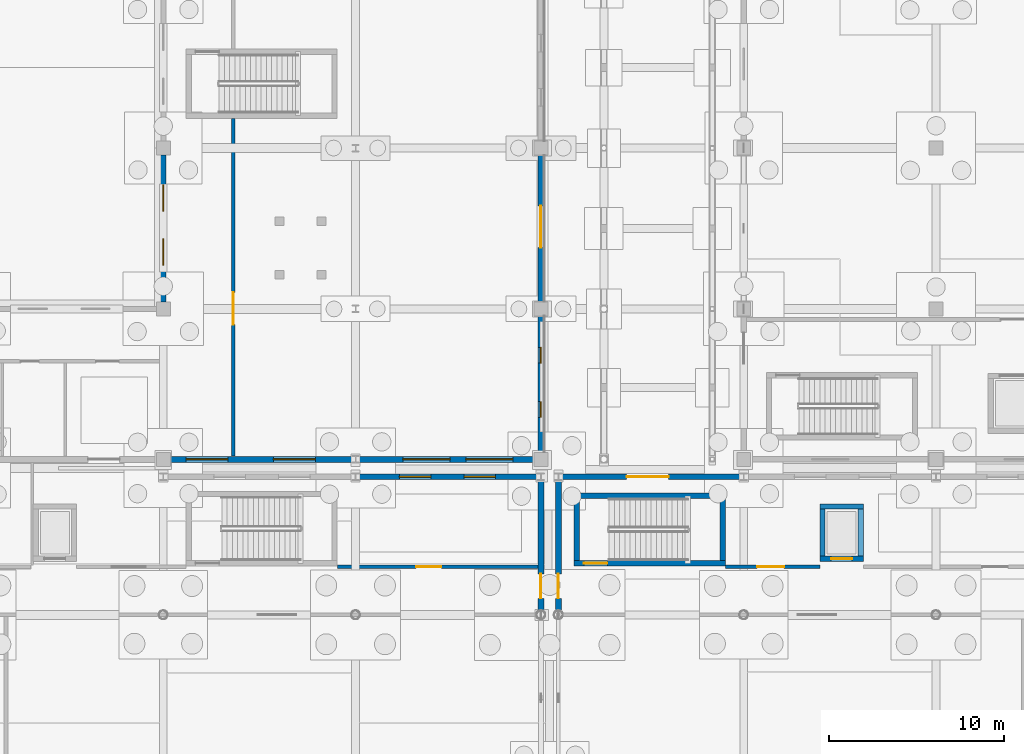
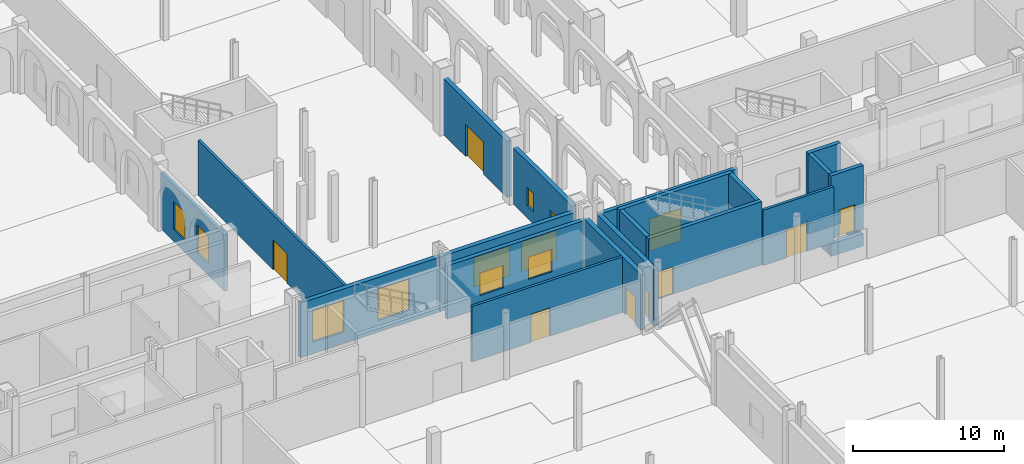
# One storey, part 58 of 83: 23 walls, 10 windows, 9 doors, 19 openings.
"""IFC4 building model written with IfcOpenShell, lengths in metres."""

import ifcopenshell
import ifcopenshell.guid

model = None  # the IFC model being written
_history = None  # IfcOwnerHistory: only IFC2X3 demands one
_inside = {}  # id of a spatial element -> (the spatial element, [elements in it])
_under = {}  # id of a project, library or spatial element -> (it, [spatial elements below it])
_declared = {}  # id of a project -> (the project, [libraries it declares])
_typed = {}  # id of a type object -> (the type object, [elements of that type])
_made_of = {}  # id of a material, layer set ... -> (it, [elements and type objects made of it])


def new_model(schema):
    """Start an empty IFC model of exactly this schema.

    Asked for "IFC4X3", IfcOpenShell would pick the latest addendum, in which some entities
    have other attributes; the version numbers below select the first issue.
    IFC2X3 requires an IfcOwnerHistory on every rooted entity: one is made here for all.
    """
    global model, _history
    if schema == "IFC4X3":
        model = ifcopenshell.file(schema_version=(4, 3, 0, 0))
    else:
        model = ifcopenshell.file(schema=schema)
    _inside.clear()
    _under.clear()
    _declared.clear()
    _typed.clear()
    _made_of.clear()
    _history = None
    if model.schema == "IFC2X3":
        org = make("IfcOrganization", Name="unknown")
        user = make(
            "IfcPersonAndOrganization",
            ThePerson=make("IfcPerson", FamilyName="unknown"),
            TheOrganization=org,
        )
        app = make(
            "IfcApplication",
            ApplicationDeveloper=org,
            Version="unknown",
            ApplicationFullName="unknown",
            ApplicationIdentifier="unknown",
        )
        _history = make(
            "IfcOwnerHistory",
            OwningUser=user,
            OwningApplication=app,
            ChangeAction="ADDED",
            CreationDate=0,
        )
    return model


def make(cls, **values):
    """One entity of the class cls with the attributes given. An attribute that is None is left unset."""
    return model.create_entity(
        cls, **{name: value for name, value in values.items() if value is not None}
    )


def rooted(cls, **values):
    """An entity with a GlobalId (a new one), such as an element, a storey or a relation."""
    return make(cls, GlobalId=ifcopenshell.guid.new(), OwnerHistory=_history, **values)


def si_unit(unit_type, name, prefix=None):
    """IfcSIUnit, for example si_unit("LENGTHUNIT", "METRE", prefix="MILLI")."""
    return make("IfcSIUnit", UnitType=unit_type, Prefix=prefix, Name=name)


def assignment(units):
    """IfcUnitAssignment: the units of a project."""
    return None if units is None else make("IfcUnitAssignment", Units=units)


def point(xyz):
    """IfcCartesianPoint."""
    return None if xyz is None else make("IfcCartesianPoint", Coordinates=xyz)


def direction(xyz):
    """IfcDirection."""
    return None if xyz is None else make("IfcDirection", DirectionRatios=xyz)


def frame(location, z_axis=None, x_axis=None):
    """IfcAxis2Placement3D, a coordinate frame: its origin and axes. An axis left out is left unset."""
    return make(
        "IfcAxis2Placement3D",
        Location=point(location),
        Axis=direction(z_axis),
        RefDirection=direction(x_axis),
    )


def frame_2d(location, x_axis=None):
    """IfcAxis2Placement2D, a coordinate frame in the plane: its origin and x axis."""
    return make(
        "IfcAxis2Placement2D", Location=point(location), RefDirection=direction(x_axis)
    )


def origin():
    """The frame at (0, 0, 0) with its axes left unset."""
    return frame((0.0, 0.0, 0.0))


def place(relative_to, where):
    """IfcLocalPlacement: puts the frame where relative to a parent placement (None: the world)."""
    return make(
        "IfcLocalPlacement", PlacementRelTo=relative_to, RelativePlacement=where
    )


def context(
    kind, dimensions, precision=None, world=None, true_north=None, identifier=None
):
    """IfcGeometricRepresentationContext, for example the 3D "Model" context."""
    return make(
        "IfcGeometricRepresentationContext",
        ContextIdentifier=identifier,
        ContextType=kind,
        CoordinateSpaceDimension=dimensions,
        Precision=precision,
        WorldCoordinateSystem=world,
        TrueNorth=true_north,
    )


def subcontext(parent, identifier, kind, view, scale=None):
    """IfcGeometricRepresentationSubContext, for example "Body" below "Model"."""
    return make(
        "IfcGeometricRepresentationSubContext",
        ContextIdentifier=identifier,
        ContextType=kind,
        ParentContext=parent,
        TargetScale=scale,
        TargetView=view,
    )


def project(units=None, contexts=None):
    """IfcProject with its units and contexts."""
    return rooted(
        "IfcProject",
        Name="project",
        RepresentationContexts=contexts,
        UnitsInContext=assignment(units),
    )


def spatial(cls, under=None, at=None, **own):
    """A site, building, storey or space (cls), placed at a placement, below another one or the project."""
    s = rooted(cls, ObjectPlacement=at, **own)
    if under is not None:
        _under.setdefault(under.id(), (under, []))[1].append(s)
    return s


def profile(cls, at=None, kind="AREA", **sizes):
    """A parametric profile (cls). Its sizes go by their IFC names, for example OverallWidth=200.0."""
    return make(cls, ProfileType=kind, Position=at, **sizes)


def rectangle(**sizes):
    """IfcRectangleProfileDef."""
    return profile("IfcRectangleProfileDef", **sizes)


def extrude(swept, where, along, depth):
    """IfcExtrudedAreaSolid: the profile swept, set in the frame where, extruded along a direction by depth."""
    return make(
        "IfcExtrudedAreaSolid",
        SweptArea=swept,
        Position=where,
        ExtrudedDirection=direction(along),
        Depth=depth,
    )


def shape(context_of_items, identifier, shape_type, items):
    """IfcShapeRepresentation: the items that make up one representation, for example the "Body"."""
    return make(
        "IfcShapeRepresentation",
        ContextOfItems=context_of_items,
        RepresentationIdentifier=identifier,
        RepresentationType=shape_type,
        Items=items,
    )


def material(Name=None, Category=None):
    """IfcMaterial."""
    return make("IfcMaterial", Name=Name, Category=Category)


def layer(
    of_material, thickness, ventilated=None, Name=None, Category=None, Priority=None
):
    """IfcMaterialLayer: one layer of a wall or slab, of a material (None: an air gap)."""
    return make(
        "IfcMaterialLayer",
        Material=of_material,
        LayerThickness=thickness,
        IsVentilated=ventilated,
        Name=Name,
        Category=Category,
        Priority=Priority,
    )


def layer_set(layers, Name=None):
    """IfcMaterialLayerSet."""
    return make("IfcMaterialLayerSet", MaterialLayers=layers, LayerSetName=Name)


def made_of(thing, what):
    """Note that an element or type object is made of a material, layer set ...; save() writes the relation."""
    if what is not None:
        _made_of.setdefault(what.id(), (what, []))[1].append(thing)
    return thing


def type_object(cls, material=None, **own):
    """A type object (cls), such as IfcWallType, which elements share."""
    return made_of(rooted(cls, **own), material)


def element(
    cls,
    number,
    at=None,
    inside=None,
    cuts=None,
    type_object=None,
    material=None,
    context=None,
    identifier="Body",
    shape_type=None,
    held_by="IfcProductDefinitionShape",
    body=None,
    shapes=None,
    **own,
):
    """One element of the class cls, such as IfcWall. Its Tag is "e" and its number.

    at: its placement. inside: the storey or other place that contains it. cuts: it is an
    opening in that element (IfcRelVoidsElement). A single representation is given by context,
    identifier, shape_type and body (its items); several are given by shapes. held_by: the class
    of the entity that holds the representations. save() writes the other relations.
    """
    e = rooted(cls, Tag="e%d" % number, ObjectPlacement=at, **own)
    if body is not None:
        shapes = [shape(context, identifier, shape_type, body)]
    if shapes is not None:
        e.Representation = make(held_by, Representations=shapes)
    if inside is not None:
        _inside.setdefault(inside.id(), (inside, []))[1].append(e)
    if cuts is not None:
        rooted(
            "IfcRelVoidsElement", RelatingBuildingElement=cuts, RelatedOpeningElement=e
        )
    if type_object is not None:
        _typed.setdefault(type_object.id(), (type_object, []))[1].append(e)
    return made_of(e, material)


def fill(opening, filler):
    """IfcRelFillsElement: the door or window that sits in an opening."""
    return rooted(
        "IfcRelFillsElement",
        RelatingOpeningElement=opening,
        RelatedBuildingElement=filler,
    )


def aggregate(whole, parts):
    """IfcRelAggregates: a whole, such as a stair, and the parts it consists of."""
    return rooted("IfcRelAggregates", RelatingObject=whole, RelatedObjects=parts)


def save(model, path):
    """Write the relations noted so far, then the file.

    IfcRelAggregates (storeys below a building ...), IfcRelContainedInSpatialStructure (elements
    in a storey), IfcRelDefinesByType, IfcRelAssociatesMaterial and IfcRelDeclares: one each for
    every whole, place, type object, material and project.
    """
    for whole, parts in _under.values():
        aggregate(whole, parts)
    for where, things in _inside.values():
        rooted(
            "IfcRelContainedInSpatialStructure",
            RelatedElements=things,
            RelatingStructure=where,
        )
    for kind, things in _typed.values():
        rooted("IfcRelDefinesByType", RelatedObjects=things, RelatingType=kind)
    for what, things in _made_of.values():
        rooted("IfcRelAssociatesMaterial", RelatedObjects=things, RelatingMaterial=what)
    for by, libraries in _declared.values():
        rooted("IfcRelDeclares", RelatingContext=by, RelatedDefinitions=libraries)
    model.write(path)


model = new_model("IFC4")

# Units and contexts
model_context = context("Model", 3, precision=1e-05, world=origin(), true_north=direction((0.0, 1.0)))
body_context = subcontext(model_context, "Body", "Model", "MODEL_VIEW")
ifc_project = project(units=[si_unit("LENGTHUNIT", "METRE"), si_unit("AREAUNIT", "SQUARE_METRE"), si_unit("VOLUMEUNIT", "CUBIC_METRE"), si_unit("PLANEANGLEUNIT", "RADIAN"), si_unit("MASSUNIT", "GRAM", prefix="KILO")], contexts=[model_context])

# Site, building, storey
site_placement = place(None, origin())
site = spatial("IfcSite", under=ifc_project, at=site_placement, CompositionType="ELEMENT")
building_placement = place(site_placement, origin())
building = spatial("IfcBuilding", under=site, at=building_placement, Name="Caurita Quay Ferry Terminal", CompositionType="ELEMENT")
storey_placement = place(building_placement, origin())
storey = spatial("IfcBuildingStorey", under=building, at=storey_placement, Name="L00", CompositionType="ELEMENT", Elevation=0.0)

# Wall, opening, door
ifc_material_1 = material(Name="Reinforced concrete C35/45", Category="concrete")
ifc_layer_1 = layer(ifc_material_1, 0.300048828125, Name="Interior shear wall 300 mm")
ifc_layer_set_1 = layer_set([ifc_layer_1], Name="Reinforced concrete C35/45")
wall_type_1 = type_object("IfcWallType", Name="WL-CORE-300", PredefinedType="SHEAR", material=ifc_layer_set_1)
wall_1_placement = place(storey_placement, frame((89.5, 65.64990234375, 0.0), z_axis=(0.0, 0.0, 1.0), x_axis=(1.0, 0.0, 0.0)))
wall_1 = element("IfcWall", 1, at=wall_1_placement, inside=storey, type_object=wall_type_1, Name="L00 ST-08 Core Wall South", PredefinedType="SHEAR", context=body_context, shape_type="SweptSolid", body=[
    extrude(rectangle(XDim=8.64990234375, YDim=0.300048828125, at=frame_2d((4.324951171875, 0.0))), origin(), (0.0, 0.0, 1.0), 5.10009765625),
])
opening_1_placement = place(wall_1_placement, frame((0.550048828125, 0.0, 0.0)))
opening_1 = element("IfcOpeningElement", 2, at=opening_1_placement, cuts=wall_1, Name="Opening SD-01", PredefinedType="OPENING", context=body_context, shape_type="SweptSolid", body=[
    extrude(rectangle(XDim=1.35009765625, YDim=2.199951171875, at=frame_2d((0.675048828125, 1.10009765625))), frame((0.0, 0.159912109375, 0.0), z_axis=(0.0, -1.0, 0.0), x_axis=(1.0, 0.0, 0.0)), (0.0, 0.0, 1.0), 0.320068359375),
])
ifc_material_2 = material(Name="Anodized aluminium 6063-T6", Category="aluminium")
door_type_1 = type_object("IfcDoorType", Name="DR-ST-1200", OperationType="NOTDEFINED", PredefinedType="DOOR", material=ifc_material_2)
door_1_placement = place(opening_1_placement, frame((1.35009765625, 0.0, 0.0), z_axis=(0.0, 0.0, 1.0), x_axis=(-1.0, 0.0, 0.0)))
door_1 = element("IfcDoor", 3, at=door_1_placement, inside=storey, type_object=door_type_1, Name="L00 Exit Stair ST-08 Fire Door", OperationType="SINGLE_SWING_RIGHT", OverallHeight=2.199951171875, OverallWidth=1.35009765625, PredefinedType="DOOR", context=body_context, shape_type="SweptSolid", body=[
    extrude(rectangle(XDim=1.35009765625, YDim=2.199951171875, at=frame_2d((0.675048828125, 1.10009765625))), frame((0.0, 0.02490234375, 0.0), z_axis=(0.0, -1.0, 0.0), x_axis=(1.0, 0.0, 0.0)), (0.0, 0.0, 1.0), 0.050048828125),
])
fill(opening_1, door_1)

# Walls
wall_2_placement = place(storey_placement, frame((98.14990234375, 69.510009765625, 0.0), z_axis=(0.0, 0.0, 1.0), x_axis=(-1.0, 0.0, 0.0)))
element("IfcWall", 4, at=wall_2_placement, inside=storey, type_object=wall_type_1, Name="L00 ST-08 Core Wall North", PredefinedType="SHEAR", context=body_context, shape_type="SweptSolid", body=[
    extrude(rectangle(XDim=8.64990234375, YDim=0.300048828125, at=frame_2d((4.324951171875, 0.0))), origin(), (0.0, 0.0, 1.0), 5.10009765625),
])
for number, where, z_axis, x_axis, name in (
    (5, (89.64990234375, 69.360107421875, 0.0), (0.0, 0.0, 1.0), (0.0, -1.0, 0.0), "L00 ST-08 Core Wall West"),
    (6, (98.0, 65.800048828125, 0.0), (0.0, 0.0, 1.0), (0.0, 1.0, 0.0), "L00 ST-08 Core Wall East"),
):
    element("IfcWall", number, at=place(storey_placement, frame(where, z_axis=z_axis, x_axis=x_axis)), inside=storey, type_object=wall_type_1, Name=name, PredefinedType="SHEAR", context=body_context, shape_type="SweptSolid", body=[
        extrude(rectangle(XDim=3.56005859375, YDim=0.300048828125, at=frame_2d((1.780029296875, 0.0))), origin(), (0.0, 0.0, 1.0), 5.10009765625),
    ])
for number, where, z_axis, x_axis, name in (
    (7, (103.554931640625, 65.905029296875, -1.39990234375), (0.0, 0.0, 1.0), (1.0, 0.0, 0.0), "Lift LP-03 Pit Wall S"),
    (8, (106.044921875, 68.89501953125, -1.39990234375), (0.0, 0.0, 1.0), (-1.0, 0.0, 0.0), "Lift LP-03 Pit Wall N"),
):
    element("IfcWall", number, at=place(storey_placement, frame(where, z_axis=z_axis, x_axis=x_axis)), inside=storey, type_object=wall_type_1, Name=name, PredefinedType="SHEAR", context=body_context, shape_type="SweptSolid", body=[
        extrude(rectangle(XDim=2.489990234375, YDim=0.300048828125, at=frame_2d((1.2451171875, 0.0))), origin(), (0.0, 0.0, 1.0), 1.0),
    ])
for number, where, z_axis, x_axis, name in (
    (9, (103.705078125, 68.7451171875, -1.39990234375), (0.0, 0.0, 1.0), (0.0, -1.0, 0.0), "Lift LP-03 Pit Wall W"),
    (10, (105.89501953125, 66.054931640625, -1.39990234375), (0.0, 0.0, 1.0), (0.0, 1.0, 0.0), "Lift LP-03 Pit Wall E"),
):
    element("IfcWall", number, at=place(storey_placement, frame(where, z_axis=z_axis, x_axis=x_axis)), inside=storey, type_object=wall_type_1, Name=name, PredefinedType="SHEAR", context=body_context, shape_type="SweptSolid", body=[
        extrude(rectangle(XDim=2.690185546875, YDim=0.300048828125, at=frame_2d((1.34521484375, 0.0))), origin(), (0.0, 0.0, 1.0), 1.0),
    ])

# Wall, opening, door
wall_3_placement = place(storey_placement, frame((103.554931640625, 65.905029296875, 0.0), z_axis=(0.0, 0.0, 1.0), x_axis=(1.0, 0.0, 0.0)))
wall_3 = element("IfcWall", 11, at=wall_3_placement, inside=storey, type_object=wall_type_1, Name="L00 Lift LP-03 Shaft Wall South", PredefinedType="SHEAR", context=body_context, shape_type="SweptSolid", body=[
    extrude(rectangle(XDim=2.489990234375, YDim=0.300048828125, at=frame_2d((1.2451171875, 0.0))), origin(), (0.0, 0.0, 1.0), 5.10009765625),
])
opening_2_placement = place(wall_3_placement, frame((0.64501953125, 0.0, 0.0)))
opening_2 = element("IfcOpeningElement", 12, at=opening_2_placement, cuts=wall_3, Name="Opening LD-02", PredefinedType="OPENING", context=body_context, shape_type="SweptSolid", body=[
    extrude(rectangle(XDim=1.199951171875, YDim=2.14990234375, at=frame_2d((0.60009765625, 1.074951171875))), frame((0.0, 0.159912109375, 0.0), z_axis=(0.0, -1.0, 0.0), x_axis=(1.0, 0.0, 0.0)), (0.0, 0.0, 1.0), 0.320068359375),
])
ifc_material_3 = material(Name="Bronze architectural metalwork", Category="metal")
door_type_2 = type_object("IfcDoorType", Name="DR-LD-02", OperationType="DOUBLE_DOOR_SLIDING", PredefinedType="DOOR", material=ifc_material_3)
door_2_placement = place(opening_2_placement, frame((1.199951171875, 0.0, 0.0), z_axis=(0.0, 0.0, 1.0), x_axis=(-1.0, 0.0, 0.0)))
door_2 = element("IfcDoor", 13, at=door_2_placement, inside=storey, type_object=door_type_2, Name="L00 Lift LP-03 Sliding Landing Door", OperationType="DOUBLE_DOOR_SLIDING", OverallHeight=2.14990234375, OverallWidth=1.199951171875, PredefinedType="DOOR", context=body_context, shape_type="SweptSolid", body=[
    extrude(rectangle(XDim=1.199951171875, YDim=2.14990234375, at=frame_2d((0.60009765625, 1.074951171875))), frame((0.0, 0.02490234375, 0.0), z_axis=(0.0, -1.0, 0.0), x_axis=(1.0, 0.0, 0.0)), (0.0, 0.0, 1.0), 0.050048828125),
])
fill(opening_2, door_2)

# Walls
wall_4_placement = place(storey_placement, frame((106.044921875, 68.89501953125, 0.0), z_axis=(0.0, 0.0, 1.0), x_axis=(-1.0, 0.0, 0.0)))
element("IfcWall", 14, at=wall_4_placement, inside=storey, type_object=wall_type_1, Name="L00 Lift LP-03 Shaft Wall North", PredefinedType="SHEAR", context=body_context, shape_type="SweptSolid", body=[
    extrude(rectangle(XDim=2.489990234375, YDim=0.300048828125, at=frame_2d((1.2451171875, 0.0))), origin(), (0.0, 0.0, 1.0), 5.10009765625),
])
wall_5_placement = place(storey_placement, frame((103.705078125, 68.7451171875, 0.0), z_axis=(0.0, 0.0, 1.0), x_axis=(0.0, -1.0, 0.0)))
element("IfcWall", 15, at=wall_5_placement, inside=storey, type_object=wall_type_1, Name="L00 Lift LP-03 Shaft Wall West", PredefinedType="SHEAR", context=body_context, shape_type="SweptSolid", body=[
    extrude(rectangle(XDim=2.690185546875, YDim=0.300048828125, at=frame_2d((1.34521484375, 0.0))), origin(), (0.0, 0.0, 1.0), 5.10009765625),
])

# Wall, opening, door
ifc_material_4 = material(Name="Warm-white lime stucco masonry", Category="masonry")
ifc_layer_2 = layer(ifc_material_4, 0.199951171875, Name="Interior partitioning wall 200 mm")
ifc_layer_set_2 = layer_set([ifc_layer_2], Name="Warm-white lime stucco masonry")
wall_type_2 = type_object("IfcWallType", Name="WL-CORR-200", PredefinedType="PARTITIONING", material=ifc_layer_set_2)
wall_6_placement = place(storey_placement, frame((75.9599609375, 65.449951171875, 0.0), z_axis=(0.0, 0.0, 1.0), x_axis=(1.0, 0.0, 0.0)))
wall_6 = element("IfcWall", 16, at=wall_6_placement, inside=storey, type_object=wall_type_2, Name="L00 Interior Partition IW-L00-011", PredefinedType="PARTITIONING", context=body_context, shape_type="SweptSolid", body=[
    extrude(rectangle(XDim=11.465087890625, YDim=0.199951171875, at=frame_2d((5.732421875, 0.0))), origin(), (0.0, 0.0, 1.0), 4.48291015625),
])
opening_3_placement = place(wall_6_placement, frame((4.5, 0.0, 0.0)))
opening_3 = element("IfcOpeningElement", 17, at=opening_3_placement, cuts=wall_6, Name="Opening ID-09", PredefinedType="OPENING", context=body_context, shape_type="SweptSolid", body=[
    extrude(rectangle(XDim=1.449951171875, YDim=2.300048828125, at=frame_2d((0.72509765625, 1.14990234375))), frame((0.0, 0.10986328125, 0.0), z_axis=(0.0, -1.0, 0.0), x_axis=(1.0, 0.0, 0.0)), (0.0, 0.0, 1.0), 0.219970703125),
])
door_type_3 = type_object("IfcDoorType", Name="DR-STR-1450", OperationType="NOTDEFINED", PredefinedType="DOOR", material=ifc_material_2)
door_3_placement = place(opening_3_placement, frame((1.449951171875, 0.0, 0.0), z_axis=(0.0, 0.0, 1.0), x_axis=(-1.0, 0.0, 0.0)))
door_3 = element("IfcDoor", 18, at=door_3_placement, inside=storey, type_object=door_type_3, Name="Porterage Store Door", OperationType="SINGLE_SWING_RIGHT", OverallHeight=2.300048828125, OverallWidth=1.449951171875, PredefinedType="DOOR", context=body_context, shape_type="SweptSolid", body=[
    extrude(rectangle(XDim=1.449951171875, YDim=2.300048828125, at=frame_2d((0.72509765625, 1.14990234375))), frame((0.0, 0.02490234375, 0.0), z_axis=(0.0, -1.0, 0.0), x_axis=(1.0, 0.0, 0.0)), (0.0, 0.0, 1.0), 0.050048828125),
])
fill(opening_3, door_3)

wall_7_placement = place(storey_placement, frame((98.159912109375, 65.449951171875, 0.0), z_axis=(0.0, 0.0, 1.0), x_axis=(1.0, 0.0, 0.0)))
wall_7 = element("IfcWall", 19, at=wall_7_placement, inside=storey, type_object=wall_type_2, Name="L00 Interior Partition IW-L00-014", PredefinedType="PARTITIONING", context=body_context, shape_type="SweptSolid", body=[
    extrude(rectangle(XDim=5.39013671875, YDim=0.199951171875, at=frame_2d((2.695068359375, 0.0))), origin(), (0.0, 0.0, 1.0), 4.48291015625),
])
opening_4_placement = place(wall_7_placement, frame((1.800048828125, 0.0, 0.0)))
opening_4 = element("IfcOpeningElement", 20, at=opening_4_placement, cuts=wall_7, Name="Opening ID-10", PredefinedType="OPENING", context=body_context, shape_type="SweptSolid", body=[
    extrude(rectangle(XDim=1.550048828125, YDim=2.300048828125, at=frame_2d((0.77490234375, 1.14990234375))), frame((0.0, 0.10986328125, 0.0), z_axis=(0.0, -1.0, 0.0), x_axis=(1.0, 0.0, 0.0)), (0.0, 0.0, 1.0), 0.219970703125),
])
ifc_material_5 = material(Name="Tropical mahogany hardwood", Category="wood")
door_type_4 = type_object("IfcDoorType", Name="DR-CONC-1550", OperationType="NOTDEFINED", PredefinedType="DOOR", material=ifc_material_5)
door_4_placement = place(opening_4_placement, frame((1.550048828125, 0.0, 0.0), z_axis=(0.0, 0.0, 1.0), x_axis=(-1.0, 0.0, 0.0)))
door_4 = element("IfcDoor", 21, at=door_4_placement, inside=storey, type_object=door_type_4, Name="Arrivals Lift Lobby L00 Door", OperationType="SINGLE_SWING_RIGHT", OverallHeight=2.300048828125, OverallWidth=1.550048828125, PredefinedType="DOOR", context=body_context, shape_type="SweptSolid", body=[
    extrude(rectangle(XDim=1.550048828125, YDim=2.300048828125, at=frame_2d((0.77490234375, 1.14990234375))), frame((0.0, 0.02490234375, 0.0), z_axis=(0.0, -1.0, 0.0), x_axis=(1.0, 0.0, 0.0)), (0.0, 0.0, 1.0), 0.050048828125),
])
fill(opening_4, door_4)

wall_8_placement = place(storey_placement, frame((70.0, 71.77490234375, 0.0), z_axis=(0.0, 0.0, 1.0), x_axis=(0.0, 1.0, 0.0)))
wall_8 = element("IfcWall", 22, at=wall_8_placement, inside=storey, type_object=wall_type_2, Name="L00 Interior Partition IW-L00-031", PredefinedType="PARTITIONING", context=body_context, shape_type="SweptSolid", body=[
    extrude(rectangle(XDim=19.320068359375, YDim=0.199951171875, at=frame_2d((9.66015625, 0.0))), origin(), (0.0, 0.0, 1.0), 4.425048828125),
])
opening_5_placement = place(wall_8_placement, frame((7.52490234375, 0.0, 0.0)))
opening_5 = element("IfcOpeningElement", 23, at=opening_5_placement, cuts=wall_8, Name="Opening PD-01", PredefinedType="OPENING", context=body_context, shape_type="SweptSolid", body=[
    extrude(rectangle(XDim=1.85009765625, YDim=2.39990234375, at=frame_2d((0.925048828125, 1.199951171875))), frame((0.0, 0.10986328125, 0.0), z_axis=(0.0, -1.0, 0.0), x_axis=(1.0, 0.0, 0.0)), (0.0, 0.0, 1.0), 0.219970703125),
])
door_type_5 = type_object("IfcDoorType", Name="DR-PL-1800", OperationType="NOTDEFINED", PredefinedType="DOOR", material=ifc_material_2)
door_5_placement = place(opening_5_placement, origin())
door_5 = element("IfcDoor", 24, at=door_5_placement, inside=storey, type_object=door_type_5, Name="Marine Telemetry Workshop Interior Door", OperationType="SINGLE_SWING_LEFT", OverallHeight=2.39990234375, OverallWidth=1.85009765625, PredefinedType="DOOR", context=body_context, shape_type="SweptSolid", body=[
    extrude(rectangle(XDim=1.85009765625, YDim=2.39990234375, at=frame_2d((0.925048828125, 1.199951171875))), frame((0.0, 0.02490234375, 0.0), z_axis=(0.0, -1.0, 0.0), x_axis=(1.0, 0.0, 0.0)), (0.0, 0.0, 1.0), 0.050048828125),
])
fill(opening_5, door_5)

# Wall, openings, windows
ifc_layer_3 = layer(ifc_material_4, 0.31005859375, Name="Exterior solidwall wall 310 mm")
ifc_layer_set_3 = layer_set([ifc_layer_3], Name="Warm-white lime stucco masonry")
wall_type_3 = type_object("IfcWallType", Name="WL-EXT-310", PredefinedType="SOLIDWALL", material=ifc_layer_set_3)
wall_9_placement = place(storey_placement, frame((66.0, 80.597900390625, 0.0), z_axis=(0.0, 0.0, 1.0), x_axis=(0.0, 1.0, 0.0)))
wall_9 = element("IfcWall", 25, at=wall_9_placement, inside=storey, type_object=wall_type_3, Name="L00 Exterior Wall EW-L00-125", PredefinedType="SOLIDWALL", context=body_context, shape_type="SweptSolid", body=[
    extrude(rectangle(XDim=8.404052734375, YDim=0.31005859375, at=frame_2d((4.2021484375, 0.0))), origin(), (0.0, 0.0, 1.0), 4.52490234375),
])
opening_6_placement = place(wall_9_placement, frame((2.10205078125, 0.0, 0.949951171875)))
opening_6 = element("IfcOpeningElement", 26, at=opening_6_placement, cuts=wall_9, Name="Opening W-07", PredefinedType="OPENING", context=body_context, shape_type="SweptSolid", body=[
    extrude(rectangle(XDim=1.5, YDim=2.25, at=frame_2d((0.75, 1.125))), frame((0.0, 0.1650390625, 0.0), z_axis=(0.0, -1.0, 0.0), x_axis=(1.0, 0.0, 0.0)), (0.0, 0.0, 1.0), 0.330078125),
])
opening_7_placement = place(wall_9_placement, frame((5.201904296875, 0.0, 0.949951171875)))
opening_7 = element("IfcOpeningElement", 27, at=opening_7_placement, cuts=wall_9, Name="Opening W-07", PredefinedType="OPENING", context=body_context, shape_type="SweptSolid", body=[
    extrude(rectangle(XDim=1.5, YDim=2.25, at=frame_2d((0.75, 1.125))), frame((0.0, 0.1650390625, 0.0), z_axis=(0.0, -1.0, 0.0), x_axis=(1.0, 0.0, 0.0)), (0.0, 0.0, 1.0), 0.330078125),
])
ifc_material_6 = material(Name="Laminated solar-control insulated glass", Category="glass")
window_type_1 = type_object("IfcWindowType", Name="WIN-SC-1522", PartitioningType="SINGLE_PANEL", PredefinedType="WINDOW", material=ifc_material_6)
window_1_placement = place(opening_6_placement, origin())
window_1 = element("IfcWindow", 28, at=window_1_placement, inside=storey, type_object=window_type_1, Name="L00 Casement Window WN-L00-189", OverallHeight=2.25, OverallWidth=1.5, PartitioningType="SINGLE_PANEL", PredefinedType="WINDOW", context=body_context, shape_type="SweptSolid", body=[
    extrude(rectangle(XDim=1.5, YDim=2.25, at=frame_2d((0.75, 1.125))), frame((0.0, 0.030029296875, 0.0), z_axis=(0.0, -1.0, 0.0), x_axis=(1.0, 0.0, 0.0)), (0.0, 0.0, 1.0), 0.06005859375),
])
fill(opening_6, window_1)
window_2_placement = place(opening_7_placement, origin())
window_2 = element("IfcWindow", 29, at=window_2_placement, inside=storey, type_object=window_type_1, Name="L00 Casement Window WN-L00-190", OverallHeight=2.25, OverallWidth=1.5, PartitioningType="SINGLE_PANEL", PredefinedType="WINDOW", context=body_context, shape_type="SweptSolid", body=[
    extrude(rectangle(XDim=1.5, YDim=2.25, at=frame_2d((0.75, 1.125))), frame((0.0, 0.030029296875, 0.0), z_axis=(0.0, -1.0, 0.0), x_axis=(1.0, 0.0, 0.0)), (0.0, 0.0, 1.0), 0.06005859375),
])
fill(opening_7, window_2)

wall_10_placement = place(storey_placement, frame((87.5908203125, 70.60009765625, 0.0), z_axis=(0.0, 0.0, 1.0), x_axis=(-1.0, 0.0, 0.0)))
wall_10 = element("IfcWall", 30, at=wall_10_placement, inside=storey, type_object=wall_type_3, Name="L00 Exterior Wall EW-L00-175", PredefinedType="SOLIDWALL", context=body_context, shape_type="SweptSolid", body=[
    extrude(rectangle(XDim=10.58154296875, YDim=0.31005859375, at=frame_2d((5.290771484375, 0.0))), origin(), (0.0, 0.0, 1.0), 4.315185546875),
])
opening_8_placement = place(wall_10_placement, frame((2.5908203125, 0.0, 1.050048828125)))
opening_8 = element("IfcOpeningElement", 31, at=opening_8_placement, cuts=wall_10, Name="Opening W-09", PredefinedType="OPENING", context=body_context, shape_type="SweptSolid", body=[
    extrude(rectangle(XDim=1.800048828125, YDim=1.800048828125, at=frame_2d((0.89990234375, 0.89990234375))), frame((0.0, 0.1650390625, 0.0), z_axis=(0.0, -1.0, 0.0), x_axis=(1.0, 0.0, 0.0)), (0.0, 0.0, 1.0), 0.330078125),
])
opening_9_placement = place(wall_10_placement, frame((6.290771484375, 0.0, 1.050048828125)))
opening_9 = element("IfcOpeningElement", 32, at=opening_9_placement, cuts=wall_10, Name="Opening W-09", PredefinedType="OPENING", context=body_context, shape_type="SweptSolid", body=[
    extrude(rectangle(XDim=1.800048828125, YDim=1.800048828125, at=frame_2d((0.89990234375, 0.89990234375))), frame((0.0, 0.1650390625, 0.0), z_axis=(0.0, -1.0, 0.0), x_axis=(1.0, 0.0, 0.0)), (0.0, 0.0, 1.0), 0.330078125),
])
window_type_2 = type_object("IfcWindowType", Name="WIN-SC-1818", PartitioningType="SINGLE_PANEL", PredefinedType="WINDOW", material=ifc_material_6)
window_3_placement = place(opening_8_placement, origin())
window_3 = element("IfcWindow", 33, at=window_3_placement, inside=storey, type_object=window_type_2, Name="L00 Casement Window WN-L00-261", OverallHeight=1.800048828125, OverallWidth=1.800048828125, PartitioningType="SINGLE_PANEL", PredefinedType="WINDOW", context=body_context, shape_type="SweptSolid", body=[
    extrude(rectangle(XDim=1.800048828125, YDim=1.800048828125, at=frame_2d((0.89990234375, 0.89990234375))), frame((0.0, 0.030029296875, 0.0), z_axis=(0.0, -1.0, 0.0), x_axis=(1.0, 0.0, 0.0)), (0.0, 0.0, 1.0), 0.06005859375),
])
fill(opening_8, window_3)
window_4_placement = place(opening_9_placement, origin())
window_4 = element("IfcWindow", 34, at=window_4_placement, inside=storey, type_object=window_type_2, Name="L00 Casement Window WN-L00-262", OverallHeight=1.800048828125, OverallWidth=1.800048828125, PartitioningType="SINGLE_PANEL", PredefinedType="WINDOW", context=body_context, shape_type="SweptSolid", body=[
    extrude(rectangle(XDim=1.800048828125, YDim=1.800048828125, at=frame_2d((0.89990234375, 0.89990234375))), frame((0.0, 0.030029296875, 0.0), z_axis=(0.0, -1.0, 0.0), x_axis=(1.0, 0.0, 0.0)), (0.0, 0.0, 1.0), 0.06005859375),
])
fill(opening_9, window_4)

# Wall, opening, door
wall_11_placement = place(storey_placement, frame((99.190673828125, 70.60009765625, 0.0), z_axis=(0.0, 0.0, 1.0), x_axis=(-1.0, 0.0, 0.0)))
wall_11 = element("IfcWall", 35, at=wall_11_placement, inside=storey, type_object=wall_type_3, Name="L00 Exterior Wall EW-L00-176", PredefinedType="SOLIDWALL", context=body_context, shape_type="SweptSolid", body=[
    extrude(rectangle(XDim=10.581298828125, YDim=0.31005859375, at=frame_2d((5.29052734375, 0.0))), origin(), (0.0, 0.0, 1.0), 4.401611328125),
])
opening_10_placement = place(wall_11_placement, frame((4.290771484375, 0.0, 0.0)))
opening_10 = element("IfcOpeningElement", 36, at=opening_10_placement, cuts=wall_11, Name="Opening ED-01", PredefinedType="OPENING", context=body_context, shape_type="SweptSolid", body=[
    extrude(rectangle(XDim=2.39990234375, YDim=2.60009765625, at=frame_2d((1.199951171875, 1.300048828125))), frame((0.0, 0.1650390625, 0.0), z_axis=(0.0, -1.0, 0.0), x_axis=(1.0, 0.0, 0.0)), (0.0, 0.0, 1.0), 0.330078125),
])
door_type_6 = type_object("IfcDoorType", Name="DR-EXT-2426", OperationType="NOTDEFINED", PredefinedType="DOOR", material=ifc_material_2)
door_6_placement = place(opening_10_placement, frame((2.39990234375, 0.0, 0.0), z_axis=(0.0, 0.0, 1.0), x_axis=(-1.0, 0.0, 0.0)))
door_6 = element("IfcDoor", 37, at=door_6_placement, inside=storey, type_object=door_type_6, Name="Arrivals Customs Forecourt Exit ED-CU1", OperationType="SINGLE_SWING_LEFT", OverallHeight=2.60009765625, OverallWidth=2.39990234375, PredefinedType="DOOR", context=body_context, shape_type="SweptSolid", body=[
    extrude(rectangle(XDim=2.39990234375, YDim=2.60009765625, at=frame_2d((1.199951171875, 1.300048828125))), frame((0.0, 0.02490234375, 0.0), z_axis=(0.0, -1.0, 0.0), x_axis=(1.0, 0.0, 0.0)), (0.0, 0.0, 1.0), 0.050048828125),
])
fill(opening_10, door_6)

# Wall, openings, windows
ifc_layer_4 = layer(ifc_material_4, 0.340087890625, Name="Exterior solidwall wall 340 mm")
ifc_layer_set_4 = layer_set([ifc_layer_4], Name="Warm-white lime stucco masonry")
wall_type_4 = type_object("IfcWallType", Name="WL-EXT-340", PredefinedType="SOLIDWALL", material=ifc_layer_set_4)
wall_12_placement = place(storey_placement, frame((66.39794921875, 71.60009765625, 0.0), z_axis=(0.0, 0.0, 1.0), x_axis=(1.0, 0.0, 0.0)))
wall_12 = element("IfcWall", 38, at=wall_12_placement, inside=storey, type_object=wall_type_4, Name="L00 Exterior Wall EW-L00-059", PredefinedType="SOLIDWALL", context=body_context, shape_type="SweptSolid", body=[
    extrude(rectangle(XDim=10.586181640625, YDim=0.340087890625, at=frame_2d((5.29296875, 0.0))), origin(), (0.0, 0.0, 1.0), 4.425048828125),
])
opening_11_placement = place(wall_12_placement, frame((0.902099609375, 0.0, 0.949951171875)))
opening_11 = element("IfcOpeningElement", 39, at=opening_11_placement, cuts=wall_12, Name="Opening W-14", PredefinedType="OPENING", context=body_context, shape_type="SweptSolid", body=[
    extrude(rectangle(XDim=2.39990234375, YDim=2.550048828125, at=frame_2d((1.199951171875, 1.27490234375))), frame((0.0, 0.179931640625, 0.0), z_axis=(0.0, -1.0, 0.0), x_axis=(1.0, 0.0, 0.0)), (0.0, 0.0, 1.0), 0.360107421875),
])
opening_12_placement = place(wall_12_placement, frame((5.902099609375, 0.0, 0.949951171875)))
opening_12 = element("IfcOpeningElement", 40, at=opening_12_placement, cuts=wall_12, Name="Opening W-14", PredefinedType="OPENING", context=body_context, shape_type="SweptSolid", body=[
    extrude(rectangle(XDim=2.39990234375, YDim=2.550048828125, at=frame_2d((1.199951171875, 1.27490234375))), frame((0.0, 0.179931640625, 0.0), z_axis=(0.0, -1.0, 0.0), x_axis=(1.0, 0.0, 0.0)), (0.0, 0.0, 1.0), 0.360107421875),
])
window_type_3 = type_object("IfcWindowType", Name="WIN-SC-2425", PartitioningType="SINGLE_PANEL", PredefinedType="WINDOW", material=ifc_material_6)
window_5_placement = place(opening_11_placement, origin())
window_5 = element("IfcWindow", 41, at=window_5_placement, inside=storey, type_object=window_type_3, Name="L00 Casement Window WN-L00-087", OverallHeight=2.550048828125, OverallWidth=2.39990234375, PartitioningType="SINGLE_PANEL", PredefinedType="WINDOW", context=body_context, shape_type="SweptSolid", body=[
    extrude(rectangle(XDim=2.39990234375, YDim=2.550048828125, at=frame_2d((1.199951171875, 1.27490234375))), frame((0.0, 0.030029296875, 0.0), z_axis=(0.0, -1.0, 0.0), x_axis=(1.0, 0.0, 0.0)), (0.0, 0.0, 1.0), 0.06005859375),
])
fill(opening_11, window_5)
window_6_placement = place(opening_12_placement, origin())
window_6 = element("IfcWindow", 42, at=window_6_placement, inside=storey, type_object=window_type_3, Name="L00 Casement Window WN-L00-088", OverallHeight=2.550048828125, OverallWidth=2.39990234375, PartitioningType="SINGLE_PANEL", PredefinedType="WINDOW", context=body_context, shape_type="SweptSolid", body=[
    extrude(rectangle(XDim=2.39990234375, YDim=2.550048828125, at=frame_2d((1.199951171875, 1.27490234375))), frame((0.0, 0.030029296875, 0.0), z_axis=(0.0, -1.0, 0.0), x_axis=(1.0, 0.0, 0.0)), (0.0, 0.0, 1.0), 0.06005859375),
])
fill(opening_12, window_6)

wall_13_placement = place(storey_placement, frame((77.015869140625, 71.60009765625, 0.0), z_axis=(0.0, 0.0, 1.0), x_axis=(1.0, 0.0, 0.0)))
wall_13 = element("IfcWall", 43, at=wall_13_placement, inside=storey, type_object=wall_type_4, Name="L00 Exterior Wall EW-L00-060", PredefinedType="SOLIDWALL", context=body_context, shape_type="SweptSolid", body=[
    extrude(rectangle(XDim=10.18603515625, YDim=0.340087890625, at=frame_2d((5.093017578125, 0.0))), origin(), (0.0, 0.0, 1.0), 4.425048828125),
])
opening_13_placement = place(wall_13_placement, frame((2.68408203125, 0.0, 0.949951171875)))
opening_13 = element("IfcOpeningElement", 44, at=opening_13_placement, cuts=wall_13, Name="Opening W-15", PredefinedType="OPENING", context=body_context, shape_type="SweptSolid", body=[
    extrude(rectangle(XDim=2.699951171875, YDim=2.39990234375, at=frame_2d((1.35009765625, 1.199951171875))), frame((0.0, 0.179931640625, 0.0), z_axis=(0.0, -1.0, 0.0), x_axis=(1.0, 0.0, 0.0)), (0.0, 0.0, 1.0), 0.360107421875),
])
opening_14_placement = place(wall_13_placement, frame((6.2841796875, 0.0, 0.949951171875)))
opening_14 = element("IfcOpeningElement", 45, at=opening_14_placement, cuts=wall_13, Name="Opening W-15", PredefinedType="OPENING", context=body_context, shape_type="SweptSolid", body=[
    extrude(rectangle(XDim=2.699951171875, YDim=2.39990234375, at=frame_2d((1.35009765625, 1.199951171875))), frame((0.0, 0.179931640625, 0.0), z_axis=(0.0, -1.0, 0.0), x_axis=(1.0, 0.0, 0.0)), (0.0, 0.0, 1.0), 0.360107421875),
])
window_type_4 = type_object("IfcWindowType", Name="WIN-SC-2724", PartitioningType="SINGLE_PANEL", PredefinedType="WINDOW", material=ifc_material_6)
window_7_placement = place(opening_13_placement, origin())
window_7 = element("IfcWindow", 46, at=window_7_placement, inside=storey, type_object=window_type_4, Name="L00 Casement Window WN-L00-089", OverallHeight=2.39990234375, OverallWidth=2.699951171875, PartitioningType="SINGLE_PANEL", PredefinedType="WINDOW", context=body_context, shape_type="SweptSolid", body=[
    extrude(rectangle(XDim=2.699951171875, YDim=2.39990234375, at=frame_2d((1.35009765625, 1.199951171875))), frame((0.0, 0.030029296875, 0.0), z_axis=(0.0, -1.0, 0.0), x_axis=(1.0, 0.0, 0.0)), (0.0, 0.0, 1.0), 0.06005859375),
])
fill(opening_13, window_7)
window_8_placement = place(opening_14_placement, origin())
window_8 = element("IfcWindow", 47, at=window_8_placement, inside=storey, type_object=window_type_4, Name="L00 Casement Window WN-L00-090", OverallHeight=2.39990234375, OverallWidth=2.699951171875, PartitioningType="SINGLE_PANEL", PredefinedType="WINDOW", context=body_context, shape_type="SweptSolid", body=[
    extrude(rectangle(XDim=2.699951171875, YDim=2.39990234375, at=frame_2d((1.35009765625, 1.199951171875))), frame((0.0, 0.030029296875, 0.0), z_axis=(0.0, -1.0, 0.0), x_axis=(1.0, 0.0, 0.0)), (0.0, 0.0, 1.0), 0.06005859375),
])
fill(opening_14, window_8)

wall_14_placement = place(storey_placement, frame((87.60009765625, 71.998046875, 0.0), z_axis=(0.0, 0.0, 1.0), x_axis=(0.0, 1.0, 0.0)))
wall_14 = element("IfcWall", 48, at=wall_14_placement, inside=storey, type_object=wall_type_4, Name="L00 Exterior Wall EW-L00-083", PredefinedType="SOLIDWALL", context=body_context, shape_type="SweptSolid", body=[
    extrude(rectangle(XDim=7.803955078125, YDim=0.340087890625, at=frame_2d((3.90185546875, 0.0))), origin(), (0.0, 0.0, 1.0), 4.52490234375),
])
opening_15_placement = place(wall_14_placement, frame((2.001953125, 0.0, 0.949951171875)))
opening_15 = element("IfcOpeningElement", 49, at=opening_15_placement, cuts=wall_14, Name="Opening W-01", PredefinedType="OPENING", context=body_context, shape_type="SweptSolid", body=[
    extrude(rectangle(XDim=0.89990234375, YDim=1.5, at=frame_2d((0.449951171875, 0.75))), frame((0.0, 0.179931640625, 0.0), z_axis=(0.0, -1.0, 0.0), x_axis=(1.0, 0.0, 0.0)), (0.0, 0.0, 1.0), 0.360107421875),
])
opening_16_placement = place(wall_14_placement, frame((5.10205078125, 0.0, 0.949951171875)))
opening_16 = element("IfcOpeningElement", 50, at=opening_16_placement, cuts=wall_14, Name="Opening W-01", PredefinedType="OPENING", context=body_context, shape_type="SweptSolid", body=[
    extrude(rectangle(XDim=0.89990234375, YDim=1.5, at=frame_2d((0.449951171875, 0.75))), frame((0.0, 0.179931640625, 0.0), z_axis=(0.0, -1.0, 0.0), x_axis=(1.0, 0.0, 0.0)), (0.0, 0.0, 1.0), 0.360107421875),
])
window_type_5 = type_object("IfcWindowType", Name="WIN-SC-0915", PartitioningType="SINGLE_PANEL", PredefinedType="WINDOW", material=ifc_material_6)
window_9_placement = place(opening_15_placement, origin())
window_9 = element("IfcWindow", 51, at=window_9_placement, inside=storey, type_object=window_type_5, Name="L00 Casement Window WN-L00-125", OverallHeight=1.5, OverallWidth=0.89990234375, PartitioningType="SINGLE_PANEL", PredefinedType="WINDOW", context=body_context, shape_type="SweptSolid", body=[
    extrude(rectangle(XDim=0.89990234375, YDim=1.5, at=frame_2d((0.449951171875, 0.75))), frame((0.0, 0.030029296875, 0.0), z_axis=(0.0, -1.0, 0.0), x_axis=(1.0, 0.0, 0.0)), (0.0, 0.0, 1.0), 0.06005859375),
])
fill(opening_15, window_9)
window_10_placement = place(opening_16_placement, origin())
window_10 = element("IfcWindow", 52, at=window_10_placement, inside=storey, type_object=window_type_5, Name="L00 Casement Window WN-L00-126", OverallHeight=1.5, OverallWidth=0.89990234375, PartitioningType="SINGLE_PANEL", PredefinedType="WINDOW", context=body_context, shape_type="SweptSolid", body=[
    extrude(rectangle(XDim=0.89990234375, YDim=1.5, at=frame_2d((0.449951171875, 0.75))), frame((0.0, 0.030029296875, 0.0), z_axis=(0.0, -1.0, 0.0), x_axis=(1.0, 0.0, 0.0)), (0.0, 0.0, 1.0), 0.06005859375),
])
fill(opening_16, window_10)

# Wall, opening, door
wall_15_placement = place(storey_placement, frame((87.60009765625, 80.597900390625, 0.0), z_axis=(0.0, 0.0, 1.0), x_axis=(0.0, 1.0, 0.0)))
wall_15 = element("IfcWall", 53, at=wall_15_placement, inside=storey, type_object=wall_type_4, Name="L00 Exterior Wall EW-L00-084", PredefinedType="SOLIDWALL", context=body_context, shape_type="SweptSolid", body=[
    extrude(rectangle(XDim=8.404052734375, YDim=0.340087890625, at=frame_2d((4.2021484375, 0.0))), origin(), (0.0, 0.0, 1.0), 4.52490234375),
])
opening_17_placement = place(wall_15_placement, frame((3.10205078125, 0.0, 0.0)))
opening_17 = element("IfcOpeningElement", 54, at=opening_17_placement, cuts=wall_15, Name="Opening ED-01", PredefinedType="OPENING", context=body_context, shape_type="SweptSolid", body=[
    extrude(rectangle(XDim=2.39990234375, YDim=2.60009765625, at=frame_2d((1.199951171875, 1.300048828125))), frame((0.0, 0.179931640625, 0.0), z_axis=(0.0, -1.0, 0.0), x_axis=(1.0, 0.0, 0.0)), (0.0, 0.0, 1.0), 0.360107421875),
])
door_7_placement = place(opening_17_placement, frame((2.39990234375, 0.0, 0.0), z_axis=(0.0, 0.0, 1.0), x_axis=(-1.0, 0.0, 0.0)))
door_7 = element("IfcDoor", 55, at=door_7_placement, inside=storey, type_object=door_type_6, Name="Forecourt Portico Entrance Door ED-FC1", OperationType="SINGLE_SWING_LEFT", OverallHeight=2.60009765625, OverallWidth=2.39990234375, PredefinedType="DOOR", context=body_context, shape_type="SweptSolid", body=[
    extrude(rectangle(XDim=2.39990234375, YDim=2.60009765625, at=frame_2d((1.199951171875, 1.300048828125))), frame((0.0, 0.02490234375, 0.0), z_axis=(0.0, -1.0, 0.0), x_axis=(1.0, 0.0, 0.0)), (0.0, 0.0, 1.0), 0.050048828125),
])
fill(opening_17, door_7)

wall_16_placement = place(storey_placement, frame((87.60009765625, 62.946044921875, 0.0), z_axis=(0.0, 0.0, 1.0), x_axis=(0.0, 1.0, 0.0)))
wall_16 = element("IfcWall", 56, at=wall_16_placement, inside=storey, type_object=wall_type_4, Name="L00 Exterior Wall EW-L00-163", PredefinedType="SOLIDWALL", context=body_context, shape_type="SweptSolid", body=[
    extrude(rectangle(XDim=7.458984375, YDim=0.340087890625, at=frame_2d((3.7294921875, 0.0))), origin(), (0.0, 0.0, 1.0), 4.48291015625),
])
opening_18_placement = place(wall_16_placement, frame((0.7041015625, 0.0, 0.0)))
opening_18 = element("IfcOpeningElement", 57, at=opening_18_placement, cuts=wall_16, Name="Opening ED-05", PredefinedType="OPENING", context=body_context, shape_type="SweptSolid", body=[
    extrude(rectangle(XDim=1.39990234375, YDim=2.25, at=frame_2d((0.699951171875, 1.125))), frame((0.0, 0.179931640625, 0.0), z_axis=(0.0, -1.0, 0.0), x_axis=(1.0, 0.0, 0.0)), (0.0, 0.0, 1.0), 0.360107421875),
])
door_type_7 = type_object("IfcDoorType", Name="DR-EXT-1422", OperationType="NOTDEFINED", PredefinedType="DOOR", material=ifc_material_5)
door_8_placement = place(opening_18_placement, frame((1.39990234375, 0.0, 0.0), z_axis=(0.0, 0.0, 1.0), x_axis=(-1.0, 0.0, 0.0)))
door_8 = element("IfcDoor", 58, at=door_8_placement, inside=storey, type_object=door_type_7, Name="Departure Core East Passage Exit Door ED-DCE", OperationType="SINGLE_SWING_RIGHT", OverallHeight=2.25, OverallWidth=1.39990234375, PredefinedType="DOOR", context=body_context, shape_type="SweptSolid", body=[
    extrude(rectangle(XDim=1.39990234375, YDim=2.25, at=frame_2d((0.699951171875, 1.125))), frame((0.0, 0.02490234375, 0.0), z_axis=(0.0, -1.0, 0.0), x_axis=(1.0, 0.0, 0.0)), (0.0, 0.0, 1.0), 0.050048828125),
])
fill(opening_18, door_8)

wall_17_placement = place(storey_placement, frame((88.60009765625, 70.405029296875, 0.0), z_axis=(0.0, 0.0, 1.0), x_axis=(0.0, -1.0, 0.0)))
wall_17 = element("IfcWall", 59, at=wall_17_placement, inside=storey, type_object=wall_type_4, Name="L00 Exterior Wall EW-L00-164", PredefinedType="SOLIDWALL", context=body_context, shape_type="SweptSolid", body=[
    extrude(rectangle(XDim=7.458984375, YDim=0.340087890625, at=frame_2d((3.7294921875, 0.0))), origin(), (0.0, 0.0, 1.0), 4.48291015625),
])
opening_19_placement = place(wall_17_placement, frame((5.355224609375, 0.0, 0.0)))
opening_19 = element("IfcOpeningElement", 60, at=opening_19_placement, cuts=wall_17, Name="Opening ED-05", PredefinedType="OPENING", context=body_context, shape_type="SweptSolid", body=[
    extrude(rectangle(XDim=1.39990234375, YDim=2.25, at=frame_2d((0.699951171875, 1.125))), frame((0.0, 0.179931640625, 0.0), z_axis=(0.0, -1.0, 0.0), x_axis=(1.0, 0.0, 0.0)), (0.0, 0.0, 1.0), 0.360107421875),
])
door_9_placement = place(opening_19_placement, frame((1.39990234375, 0.0, 0.0), z_axis=(0.0, 0.0, 1.0), x_axis=(-1.0, 0.0, 0.0)))
door_9 = element("IfcDoor", 61, at=door_9_placement, inside=storey, type_object=door_type_7, Name="Arrivals Core West Passage Exit Door ED-ACW", OperationType="SINGLE_SWING_LEFT", OverallHeight=2.25, OverallWidth=1.39990234375, PredefinedType="DOOR", context=body_context, shape_type="SweptSolid", body=[
    extrude(rectangle(XDim=1.39990234375, YDim=2.25, at=frame_2d((0.699951171875, 1.125))), frame((0.0, 0.02490234375, 0.0), z_axis=(0.0, -1.0, 0.0), x_axis=(1.0, 0.0, 0.0)), (0.0, 0.0, 1.0), 0.050048828125),
])
fill(opening_19, door_9)

save(model, "model.ifc")
